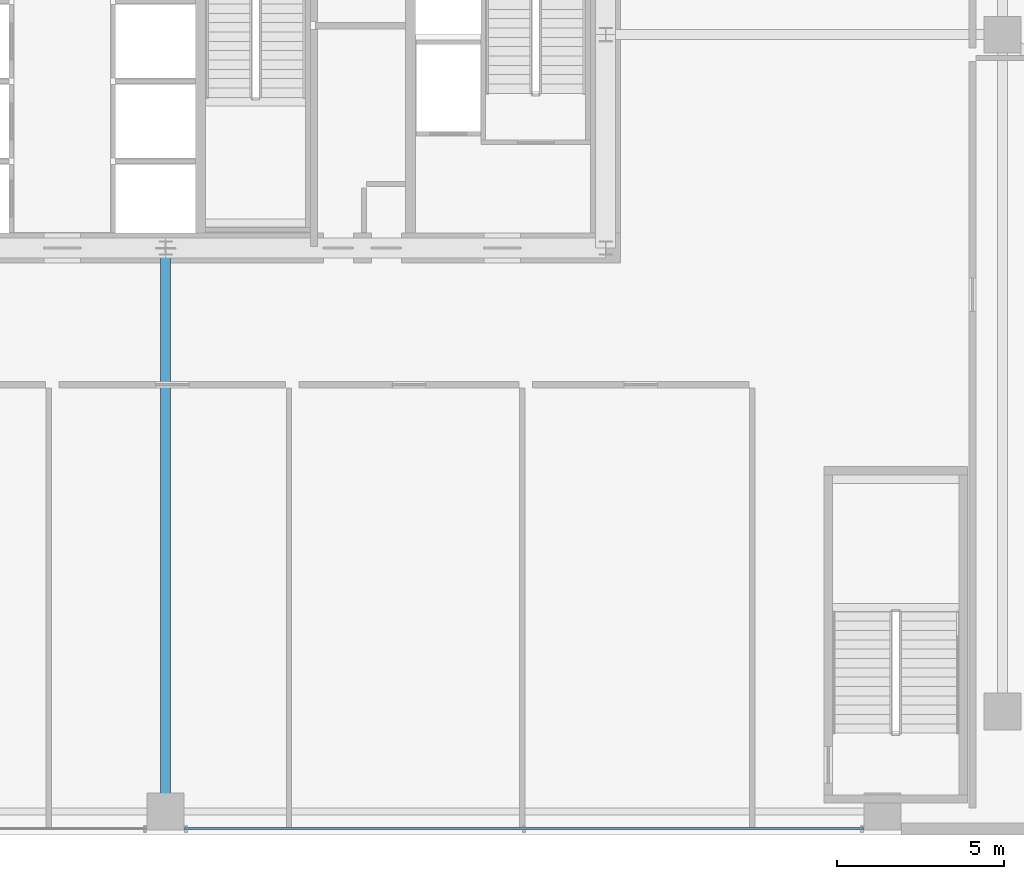
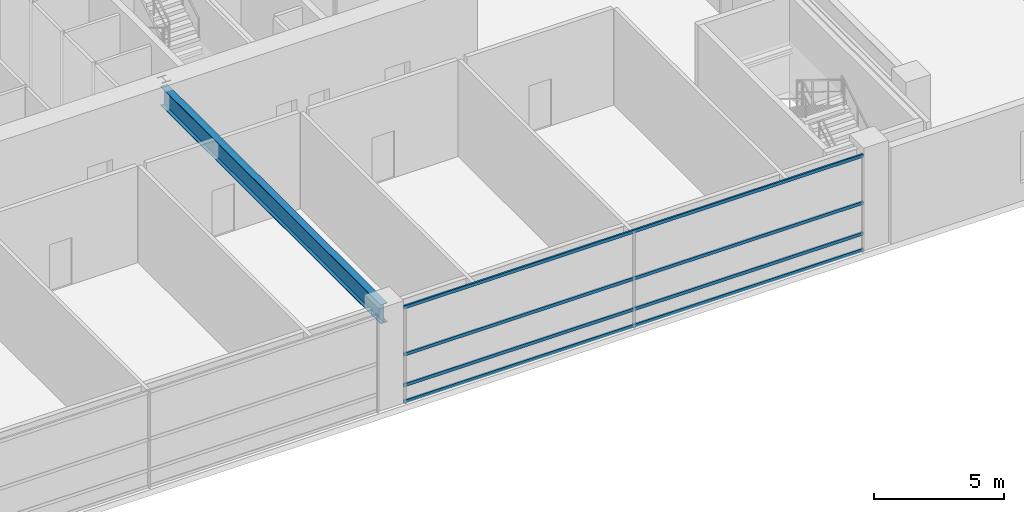
# One storey, part 14 of 39: 4 members, 1 beam, 1 element without a shape of its own.
"""IFC4 building model written with IfcOpenShell, lengths in metres."""

from ifc_helpers import new_model, si_unit, direction, frame, origin, origin_2d, place, context, subcontext, project, spatial, hollow_rectangle, i_section, extrude, source, transform, mapped, material, layer, layer_set, material_profile, profile_set, type_object, element, aggregate, save


model = new_model("IFC4")

# Units and contexts
model_context = context("Model", 3, precision=1e-05, world=origin(), true_north=direction((0.0, 1.0)))
body_context = subcontext(model_context, "Body", "Model", "MODEL_VIEW")
ifc_project = project(units=[si_unit("LENGTHUNIT", "METRE"), si_unit("AREAUNIT", "SQUARE_METRE"), si_unit("VOLUMEUNIT", "CUBIC_METRE"), si_unit("PLANEANGLEUNIT", "RADIAN"), si_unit("MASSUNIT", "GRAM", prefix="KILO"), si_unit("THERMODYNAMICTEMPERATUREUNIT", "KELVIN"), si_unit("POWERUNIT", "WATT")], contexts=[model_context])

# Site, building, storey
site_placement = place(None, origin())
site = spatial("IfcSite", under=ifc_project, at=site_placement, CompositionType="ELEMENT")
building_placement = place(site_placement, origin())
building = spatial("IfcBuilding", under=site, at=building_placement, Name="Yuzanri Waterfront Tower", CompositionType="ELEMENT")
storey_placement = place(building_placement, frame((0.0, 0.0, 15.0)))
storey = spatial("IfcBuildingStorey", under=building, at=storey_placement, Name="L04", CompositionType="ELEMENT", Elevation=15.0)

# Beam
ifc_material_1 = material(Name="Steel Q355B", Category="steel")
ifc_material_profile_1 = material_profile(ifc_material_1, i_section(OverallWidth=0.300048828125, OverallDepth=0.89990234375, WebThickness=0.01611328125, FlangeThickness=0.028076171875, at=origin_2d()), Name="HN 900x300x16x28")
ifc_profile_set_1 = profile_set([ifc_material_profile_1], Name="Steel Q355B")
beam_type = type_object("IfcBeamType", Name="Primary Podium Girder Q355B HN 900x300", PredefinedType="BEAM", material=ifc_profile_set_1)
shared_shape_1 = source(origin(), body_context, "Body", "SweptSolid", [
    extrude(i_section(OverallWidth=0.300048828125, OverallDepth=0.89990234375, WebThickness=0.01611328125, FlangeThickness=0.028076171875, at=origin_2d()), origin(), (0.0, 0.0, 1.0), 16.89990234375),
])
beam_placement = place(storey_placement, frame((37.0, 2.5, 4.070068359375), z_axis=(0.0, 1.0, 0.0), x_axis=(-1.0, 0.0, 0.0)))
element("IfcBeam", 1, at=beam_placement, inside=storey, type_object=beam_type, Name="L04 South Core Link Girder", PredefinedType="BEAM", context=body_context, shape_type="MappedRepresentation", body=[
    mapped(shared_shape_1, transform((0.0, 0.0, 0.0), scale=1.0)),
])

# Curtain wall, members
ifc_material_2 = material(Name="Anodized Architectural Bronze", Category="metal")
ifc_layer = layer(ifc_material_2, 0.159912109375)
ifc_layer_set = layer_set([ifc_layer], Name="Anodized Architectural Bronze")
curtain_wall_type = type_object("IfcCurtainWallType", Name="Anodized Bronze Podium Waterfront Double-Height Unitized Curtain Wall 8400", PredefinedType="NOTDEFINED", material=ifc_layer_set)
curtain_wall_placement = place(storey_placement, origin())
curtain_wall = element("IfcCurtainWall", 2, at=curtain_wall_placement, inside=storey, type_object=curtain_wall_type, Name="L04 Curtain Wall CW-L04-S2", PredefinedType="NOTDEFINED")
ifc_material_3 = material(Name="Anodized Architectural Bronze", Category="metal")
ifc_material_profile_2 = material_profile(ifc_material_3, hollow_rectangle(XDim=0.074951171875, YDim=0.14990234375, WallThickness=0.00390625, at=origin_2d()), Name="CWT 75x150")
ifc_profile_set_2 = profile_set([ifc_material_profile_2], Name="Anodized Architectural Bronze")
member_type = type_object("IfcMemberType", Name="Anodized Bronze Primary Curtain-Wall Transom 75x150", PredefinedType="USERDEFINED", material=ifc_profile_set_2)
shared_shape_2 = source(origin(), body_context, "Body", "SweptSolid", [
    extrude(hollow_rectangle(XDim=0.074951171875, YDim=0.14990234375, WallThickness=0.00390625, at=origin_2d()), origin(), (0.0, 0.0, 1.0), 20.35986328125),
])
member_1_placement = place(storey_placement, frame((37.570068359375, 1.97998046875, 0.050048828125), z_axis=(1.0, 0.0, 0.0), x_axis=(0.0, 1.0, 0.0)))
member_1 = element("IfcMember", 3, at=member_1_placement, type_object=member_type, Name="CW-L04-S2 Transom 1", ObjectType="TRANSOM", PredefinedType="USERDEFINED", context=body_context, shape_type="MappedRepresentation", body=[
    mapped(shared_shape_2, transform((0.0, 0.0, 0.0), scale=1.0)),
])
member_2_placement = place(storey_placement, frame((37.570068359375, 1.97998046875, 0.820068359375), z_axis=(1.0, 0.0, 0.0), x_axis=(0.0, 1.0, 0.0)))
member_2 = element("IfcMember", 4, at=member_2_placement, type_object=member_type, Name="CW-L04-S2 Transom 2", ObjectType="TRANSOM", PredefinedType="USERDEFINED", context=body_context, shape_type="MappedRepresentation", body=[
    mapped(shared_shape_2, transform((0.0, 0.0, 0.0), scale=1.0)),
])
member_3_placement = place(storey_placement, frame((37.570068359375, 1.97998046875, 2.260009765625), z_axis=(1.0, 0.0, 0.0), x_axis=(0.0, 1.0, 0.0)))
member_3 = element("IfcMember", 5, at=member_3_placement, type_object=member_type, Name="CW-L04-S2 Transom 3", ObjectType="TRANSOM", PredefinedType="USERDEFINED", context=body_context, shape_type="MappedRepresentation", body=[
    mapped(shared_shape_2, transform((0.0, 0.0, 0.0), scale=1.0)),
])
member_4_placement = place(storey_placement, frame((37.570068359375, 1.97998046875, 4.469970703125), z_axis=(1.0, 0.0, 0.0), x_axis=(0.0, 1.0, 0.0)))
member_4 = element("IfcMember", 6, at=member_4_placement, type_object=member_type, Name="CW-L04-S2 Transom 4", ObjectType="TRANSOM", PredefinedType="USERDEFINED", context=body_context, shape_type="MappedRepresentation", body=[
    mapped(shared_shape_2, transform((0.0, 0.0, 0.0), scale=1.0)),
])
aggregate(curtain_wall, [member_1, member_2, member_3, member_4])

save(model, "model.ifc")
